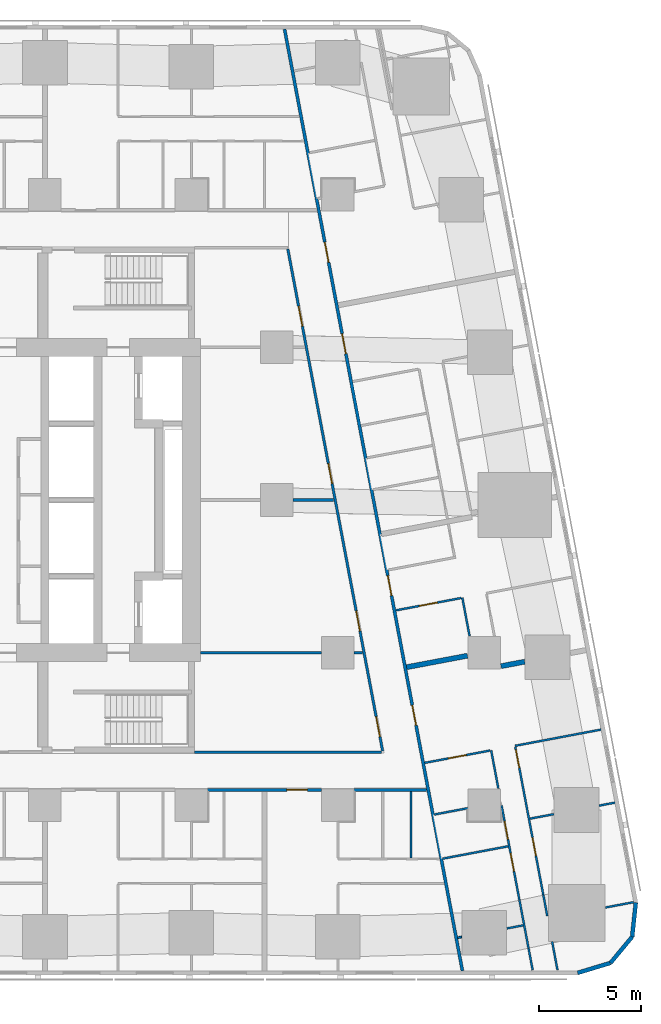
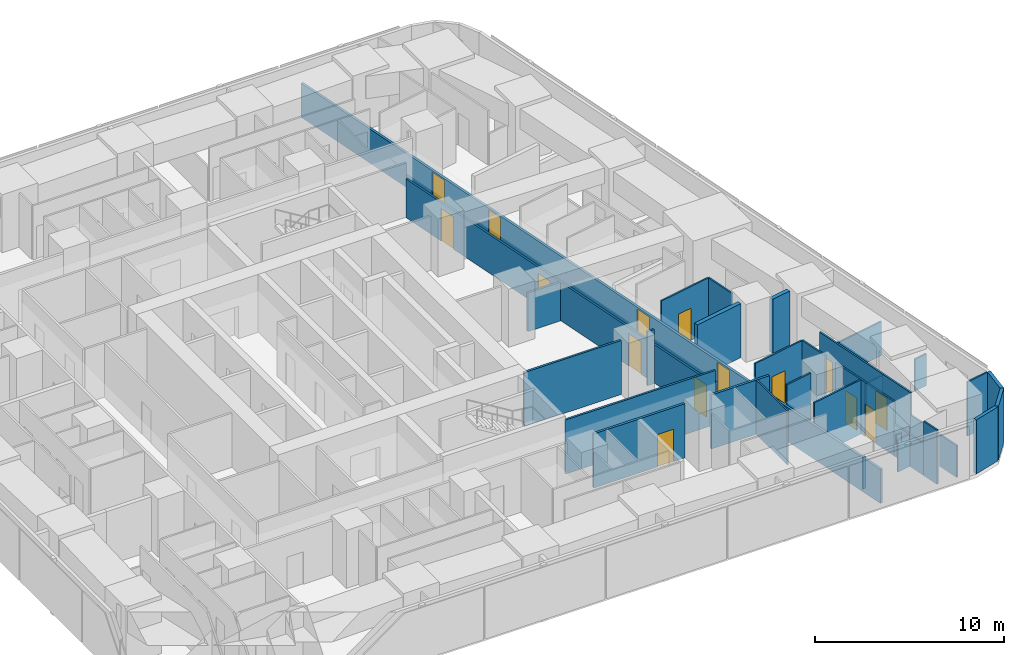
# One storey, part 6 of 15: 32 walls, 15 doors, 15 openings.
"""IFC4 building model written with IfcOpenShell, lengths in metres."""

from ifc_helpers import new_model, si_unit, direction, frame, frame_2d, origin, place, context, subcontext, project, spatial, rectangle, extrude, material, layer, layer_set, type_object, element, fill, save


model = new_model("IFC4")

# Units and contexts
model_context = context("Model", 3, precision=1e-05, world=origin(), true_north=direction((0.0, 1.0)))
body_context = subcontext(model_context, "Body", "Model", "MODEL_VIEW")
ifc_project = project(units=[si_unit("LENGTHUNIT", "METRE"), si_unit("AREAUNIT", "SQUARE_METRE"), si_unit("VOLUMEUNIT", "CUBIC_METRE"), si_unit("PLANEANGLEUNIT", "RADIAN"), si_unit("MASSUNIT", "GRAM", prefix="KILO")], contexts=[model_context])

# Site, building, storey
site_placement = place(None, origin())
site = spatial("IfcSite", under=ifc_project, at=site_placement, CompositionType="ELEMENT")
building_placement = place(site_placement, origin())
building = spatial("IfcBuilding", under=site, at=building_placement, Name="Sheger Commons Tower", CompositionType="ELEMENT")
storey_placement = place(building_placement, frame((0.0, 0.0, 107.89990234375)))
storey = spatial("IfcBuildingStorey", under=building, at=storey_placement, Name="L27", CompositionType="ELEMENT", Elevation=107.89990234375)

# Wall
ifc_material_1 = material(Name="Hollow concrete block masonry, skimmed both sides", Category="masonry")
ifc_layer_1 = layer(ifc_material_1, 0.14990234375)
ifc_layer_set_1 = layer_set([ifc_layer_1], Name="CORRIDOR WALL 150")
wall_type_1 = type_object("IfcWallType", Name="CORRIDOR WALL 150", PredefinedType="SOLIDWALL", material=ifc_layer_set_1)
wall_1_placement = place(storey_placement, frame((40.35595703125, 8.25, 0.0), z_axis=(0.0, 0.0, 1.0), x_axis=(-1.0, 0.0, 0.0)))
element("IfcWall", 1, at=wall_1_placement, inside=storey, type_object=wall_type_1, Name="Corridor wall L27", PredefinedType="SOLIDWALL", context=body_context, shape_type="SweptSolid", body=[
    extrude(rectangle(XDim=3.554931640625, YDim=0.14990234375, at=frame_2d((1.77734375, 0.0))), origin(), (0.0, 0.0, 1.0), 3.5),
])

# Wall, opening, door
wall_2_placement = place(storey_placement, frame((35.198974609375, 8.25, 0.0), z_axis=(0.0, 0.0, 1.0), x_axis=(-1.0, 0.0, 0.0)))
wall_2 = element("IfcWall", 2, at=wall_2_placement, inside=storey, type_object=wall_type_1, Name="Corridor wall L27", PredefinedType="SOLIDWALL", context=body_context, shape_type="SweptSolid", body=[
    extrude(rectangle(XDim=5.597900390625, YDim=0.14990234375, at=frame_2d((2.798828125, 0.0))), origin(), (0.0, 0.0, 1.0), 3.5),
])
opening_1_placement = place(wall_2_placement, frame((0.698974609375, 0.0, 0.0)))
opening_1 = element("IfcOpeningElement", 3, at=opening_1_placement, cuts=wall_2, Name="Opening D1", PredefinedType="OPENING", context=body_context, shape_type="SweptSolid", body=[
    extrude(rectangle(XDim=1.0, YDim=2.10009765625, at=frame_2d((0.5, 1.050048828125))), frame((0.0, 0.0849609375, 0.0), z_axis=(0.0, -1.0, 0.0), x_axis=(1.0, 0.0, 0.0)), (0.0, 0.0, 1.0), 0.169921875),
])
ifc_material_2 = material(Name="Steel door set, fire rated", Category="steel")
door_type_1 = type_object("IfcDoorType", Name="FLAT ENTRANCE DOOR 1000x2100", OperationType="NOTDEFINED", PredefinedType="DOOR", material=ifc_material_2)
door_1_placement = place(opening_1_placement, origin())
door_1 = element("IfcDoor", 4, at=door_1_placement, inside=storey, type_object=door_type_1, Name="Flat entrance door", OperationType="SINGLE_SWING_LEFT", OverallHeight=2.10009765625, OverallWidth=1.0, PredefinedType="DOOR", context=body_context, shape_type="SweptSolid", body=[
    extrude(rectangle(XDim=1.0, YDim=2.10009765625, at=frame_2d((0.5, 1.050048828125))), frame((0.0, 0.02490234375, 0.0), z_axis=(0.0, -1.0, 0.0), x_axis=(1.0, 0.0, 0.0)), (0.0, 0.0, 1.0), 0.050048828125),
])
fill(opening_1, door_1)

# Wall, openings, doors
wall_3_placement = place(storey_placement, frame((33.382080078125, 45.64990234375, 0.0), z_axis=(0.0, 0.0, 1.0), x_axis=(0.185593544777, -0.982626600565, 0.0)))
wall_3 = element("IfcWall", 5, at=wall_3_placement, inside=storey, type_object=wall_type_1, Name="Corridor wall L27", PredefinedType="SOLIDWALL", context=body_context, shape_type="SweptSolid", body=[
    extrude(rectangle(XDim=47.118408203125, YDim=0.14990234375, at=frame_2d((23.55908203125, 0.0))), origin(), (0.0, 0.0, 1.0), 2.2001953125),
])
opening_2_placement = place(wall_3_placement, frame((10.662109375, 0.0, 0.0)))
opening_2 = element("IfcOpeningElement", 6, at=opening_2_placement, cuts=wall_3, Name="Opening D1", PredefinedType="OPENING", context=body_context, shape_type="SweptSolid", body=[
    extrude(rectangle(XDim=1.0, YDim=2.10009765625, at=frame_2d((0.5, 1.050048828125))), frame((0.0, 0.0849609375, 0.0), z_axis=(0.0, -1.0, 0.0), x_axis=(1.0, 0.0, 0.0)), (0.0, 0.0, 1.0), 0.169921875),
])
opening_3_placement = place(wall_3_placement, frame((15.237060546875, 0.0, 0.0)))
opening_3 = element("IfcOpeningElement", 7, at=opening_3_placement, cuts=wall_3, Name="Opening D1", PredefinedType="OPENING", context=body_context, shape_type="SweptSolid", body=[
    extrude(rectangle(XDim=1.0, YDim=2.10009765625, at=frame_2d((0.5, 1.050048828125))), frame((0.0, 0.0849609375, 0.0), z_axis=(0.0, -1.0, 0.0), x_axis=(1.0, 0.0, 0.0)), (0.0, 0.0, 1.0), 0.169921875),
])
opening_4_placement = place(wall_3_placement, frame((27.341064453125, 0.0, 0.0)))
opening_4 = element("IfcOpeningElement", 8, at=opening_4_placement, cuts=wall_3, Name="Opening D1", PredefinedType="OPENING", context=body_context, shape_type="SweptSolid", body=[
    extrude(rectangle(XDim=1.0, YDim=2.10009765625, at=frame_2d((0.5, 1.050048828125))), frame((0.0, 0.0849609375, 0.0), z_axis=(0.0, -1.0, 0.0), x_axis=(1.0, 0.0, 0.0)), (0.0, 0.0, 1.0), 0.169921875),
])
opening_5_placement = place(wall_3_placement, frame((33.8330078125, 0.0, 0.0)))
opening_5 = element("IfcOpeningElement", 9, at=opening_5_placement, cuts=wall_3, Name="Opening D1", PredefinedType="OPENING", context=body_context, shape_type="SweptSolid", body=[
    extrude(rectangle(XDim=1.0, YDim=2.10009765625, at=frame_2d((0.5, 1.050048828125))), frame((0.0, 0.0849609375, 0.0), z_axis=(0.0, -1.0, 0.0), x_axis=(1.0, 0.0, 0.0)), (0.0, 0.0, 1.0), 0.169921875),
])
door_2_placement = place(opening_2_placement, origin())
door_2 = element("IfcDoor", 10, at=door_2_placement, inside=storey, type_object=door_type_1, Name="Flat entrance door", OperationType="SINGLE_SWING_RIGHT", OverallHeight=2.10009765625, OverallWidth=1.0, PredefinedType="DOOR", context=body_context, shape_type="SweptSolid", body=[
    extrude(rectangle(XDim=1.0, YDim=2.10009765625, at=frame_2d((0.5, 1.050048828125))), frame((0.0, 0.02490234375, 0.0), z_axis=(0.0, -1.0, 0.0), x_axis=(1.0, 0.0, 0.0)), (0.0, 0.0, 1.0), 0.050048828125),
])
fill(opening_2, door_2)
door_3_placement = place(opening_3_placement, origin())
door_3 = element("IfcDoor", 11, at=door_3_placement, inside=storey, type_object=door_type_1, Name="Flat entrance door", OperationType="SINGLE_SWING_RIGHT", OverallHeight=2.10009765625, OverallWidth=1.0, PredefinedType="DOOR", context=body_context, shape_type="SweptSolid", body=[
    extrude(rectangle(XDim=1.0, YDim=2.10009765625, at=frame_2d((0.5, 1.050048828125))), frame((0.0, 0.02490234375, 0.0), z_axis=(0.0, -1.0, 0.0), x_axis=(1.0, 0.0, 0.0)), (0.0, 0.0, 1.0), 0.050048828125),
])
fill(opening_3, door_3)
door_4_placement = place(opening_4_placement, origin())
door_4 = element("IfcDoor", 12, at=door_4_placement, inside=storey, type_object=door_type_1, Name="Flat entrance door", OperationType="SINGLE_SWING_LEFT", OverallHeight=2.10009765625, OverallWidth=1.0, PredefinedType="DOOR", context=body_context, shape_type="SweptSolid", body=[
    extrude(rectangle(XDim=1.0, YDim=2.10009765625, at=frame_2d((0.5, 1.050048828125))), frame((0.0, 0.02490234375, 0.0), z_axis=(0.0, -1.0, 0.0), x_axis=(1.0, 0.0, 0.0)), (0.0, 0.0, 1.0), 0.050048828125),
])
fill(opening_4, door_4)
door_5_placement = place(opening_5_placement, origin())
door_5 = element("IfcDoor", 13, at=door_5_placement, inside=storey, type_object=door_type_1, Name="Flat entrance door", OperationType="SINGLE_SWING_LEFT", OverallHeight=2.10009765625, OverallWidth=1.0, PredefinedType="DOOR", context=body_context, shape_type="SweptSolid", body=[
    extrude(rectangle(XDim=1.0, YDim=2.10009765625, at=frame_2d((0.5, 1.050048828125))), frame((0.0, 0.02490234375, 0.0), z_axis=(0.0, -1.0, 0.0), x_axis=(1.0, 0.0, 0.0)), (0.0, 0.0, 1.0), 0.050048828125),
])
fill(opening_5, door_5)

# Walls
ifc_material_3 = material(Name="Dense concrete block masonry, plastered both sides (separating wall between flats)", Category="masonry")
ifc_layer_2 = layer(ifc_material_3, 0.25)
ifc_layer_set_2 = layer_set([ifc_layer_2], Name="DEMISING WALL 250")
wall_type_2 = type_object("IfcWallType", Name="DEMISING WALL 250", PredefinedType="SOLIDWALL", material=ifc_layer_set_2)
wall_4_placement = place(storey_placement, frame((45.18994140625, 14.550048828125, 0.0), z_axis=(0.0, 0.0, 1.0), x_axis=(-0.982666604435, -0.185381618634, 0.0)))
element("IfcWall", 14, at=wall_4_placement, inside=storey, type_object=wall_type_2, Name="Demising wall L27", PredefinedType="SOLIDWALL", context=body_context, shape_type="SweptSolid", body=[
    extrude(rectangle(XDim=1.1865234375, YDim=0.25, at=frame_2d((0.59326171875, 0.0))), origin(), (0.0, 0.0, 1.0), 3.5),
])
wall_5_placement = place(storey_placement, frame((42.3759765625, 14.843994140625, 0.0), z_axis=(0.0, 0.0, 1.0), x_axis=(-0.982636286056, -0.185542257522, 0.0)))
element("IfcWall", 15, at=wall_5_placement, inside=storey, type_object=wall_type_2, Name="Demising wall L27", PredefinedType="SOLIDWALL", context=body_context, shape_type="SweptSolid", body=[
    extrude(rectangle(XDim=3.044921875, YDim=0.25, at=frame_2d((1.5224609375, 0.0))), origin(), (0.0, 0.0, 1.0), 3.5),
])
ifc_material_4 = material(Name="Rendered concrete block masonry, dark grey", Category="masonry")
ifc_layer_3 = layer(ifc_material_4, 0.199951171875)
ifc_layer_set_3 = layer_set([ifc_layer_3], Name="FACADE WALL 200")
wall_type_3 = type_object("IfcWallType", Name="FACADE WALL 200", PredefinedType="SOLIDWALL", material=ifc_layer_set_3)
wall_6_placement = place(storey_placement, frame((47.791015625, -0.75, 0.0), z_axis=(0.0, 0.0, 1.0), x_axis=(0.957455232626, 0.288581838509, 0.0)))
element("IfcWall", 16, at=wall_6_placement, inside=storey, type_object=wall_type_3, Name="Facade wall L27", PredefinedType="SOLIDWALL", context=body_context, shape_type="SweptSolid", body=[
    extrude(rectangle(XDim=1.687744140625, YDim=0.199951171875, at=frame_2d((0.84375, 0.0))), origin(), (0.0, 0.0, 1.0), 3.5),
])
wall_7_placement = place(storey_placement, frame((49.406982421875, -0.262939453125, 0.0), z_axis=(0.0, 0.0, 1.0), x_axis=(0.638042593423, 0.770001070764, 0.0)))
element("IfcWall", 17, at=wall_7_placement, inside=storey, type_object=wall_type_3, Name="Facade wall L27", PredefinedType="SOLIDWALL", context=body_context, shape_type="SweptSolid", body=[
    extrude(rectangle(XDim=1.672607421875, YDim=0.199951171875, at=frame_2d((0.83642578125, 0.0))), origin(), (0.0, 0.0, 1.0), 3.5),
])
wall_8_placement = place(storey_placement, frame((50.47412109375, 1.02490234375, 0.0), z_axis=(0.0, 0.0, 1.0), x_axis=(0.106047815515, 0.994361031429, 0.0)))
element("IfcWall", 18, at=wall_8_placement, inside=storey, type_object=wall_type_3, Name="Facade wall L27", PredefinedType="SOLIDWALL", context=body_context, shape_type="SweptSolid", body=[
    extrude(rectangle(XDim=1.6875, YDim=0.199951171875, at=frame_2d((0.84375, 0.0))), origin(), (0.0, 0.0, 1.0), 3.5),
])
ifc_material_5 = material(Name="Gypsum board on steel studs", Category="steel")
ifc_layer_4 = layer(ifc_material_5, 0.10009765625)
ifc_layer_set_4 = layer_set([ifc_layer_4], Name="PARTITION 100")
wall_type_4 = type_object("IfcWallType", Name="PARTITION 100", PredefinedType="PARTITIONING", material=ifc_layer_set_4)
wall_9_placement = place(storey_placement, frame((39.60009765625, 4.89990234375, 0.0), z_axis=(0.0, 0.0, 1.0), x_axis=(0.0, 1.0, 0.0)))
element("IfcWall", 19, at=wall_9_placement, inside=storey, type_object=wall_type_4, Name="Partition L27", PredefinedType="PARTITIONING", context=body_context, shape_type="SweptSolid", body=[
    extrude(rectangle(XDim=3.275146484375, YDim=0.10009765625, at=frame_2d((1.6376953125, 0.0))), origin(), (0.0, 0.0, 1.0), 3.5),
])
wall_10_placement = place(storey_placement, frame((42.123046875, 17.69091796875, 0.0), z_axis=(0.0, 0.0, 1.0), x_axis=(0.185458984533, -0.982652006081, 0.0)))
element("IfcWall", 20, at=wall_10_placement, inside=storey, type_object=wall_type_4, Name="Partition L27", PredefinedType="PARTITIONING", context=body_context, shape_type="SweptSolid", body=[
    extrude(rectangle(XDim=1.9140625, YDim=0.10009765625, at=frame_2d((0.95703125, 0.0))), origin(), (0.0, 0.0, 1.0), 3.5),
])

# Wall, opening, door
wall_11_placement = place(storey_placement, frame((42.073974609375, 17.681884765625, 0.0), z_axis=(0.0, 0.0, 1.0), x_axis=(-0.982620626894, -0.185625169636, 0.0)))
wall_11 = element("IfcWall", 21, at=wall_11_placement, inside=storey, type_object=wall_type_4, Name="Partition L27", PredefinedType="PARTITIONING", context=body_context, shape_type="SweptSolid", body=[
    extrude(rectangle(XDim=3.27490234375, YDim=0.10009765625, at=frame_2d((1.637451171875, 0.0))), origin(), (0.0, 0.0, 1.0), 3.5),
])
opening_6_placement = place(wall_11_placement, frame((1.200927734375, 0.0, 0.0)))
opening_6 = element("IfcOpeningElement", 22, at=opening_6_placement, cuts=wall_11, Name="Opening D2", PredefinedType="OPENING", context=body_context, shape_type="SweptSolid", body=[
    extrude(rectangle(XDim=0.89990234375, YDim=2.10009765625, at=frame_2d((0.449951171875, 1.050048828125))), frame((0.0, 0.06005859375, 0.0), z_axis=(0.0, -1.0, 0.0), x_axis=(1.0, 0.0, 0.0)), (0.0, 0.0, 1.0), 0.1201171875),
])
ifc_material_6 = material(Name="Timber door set", Category="wood")
door_type_2 = type_object("IfcDoorType", Name="INTERNAL DOOR 900x2100", OperationType="NOTDEFINED", PredefinedType="DOOR", material=ifc_material_6)
door_6_placement = place(opening_6_placement, origin())
door_6 = element("IfcDoor", 23, at=door_6_placement, inside=storey, type_object=door_type_2, Name="Store door", OperationType="SINGLE_SWING_LEFT", OverallHeight=2.10009765625, OverallWidth=0.89990234375, PredefinedType="DOOR", context=body_context, shape_type="SweptSolid", body=[
    extrude(rectangle(XDim=0.89990234375, YDim=2.10009765625, at=frame_2d((0.449951171875, 1.050048828125))), frame((0.0, 0.02490234375, 0.0), z_axis=(0.0, -1.0, 0.0), x_axis=(1.0, 0.0, 0.0)), (0.0, 0.0, 1.0), 0.050048828125),
])
fill(opening_6, door_6)

# Wall, openings, doors
wall_12_placement = place(storey_placement, frame((44.72705078125, 10.365966796875, 0.0), z_axis=(0.0, 0.0, 1.0), x_axis=(0.185678775129, -0.982610498858, 0.0)))
wall_12 = element("IfcWall", 24, at=wall_12_placement, inside=storey, type_object=wall_type_4, Name="Partition L27", PredefinedType="PARTITIONING", context=body_context, shape_type="SweptSolid", body=[
    extrude(rectangle(XDim=7.421142578125, YDim=0.10009765625, at=frame_2d((3.71044921875, 0.0))), origin(), (0.0, 0.0, 1.0), 3.5),
])
opening_7_placement = place(wall_12_placement, frame((0.15087890625, 0.0, 0.0)))
opening_7 = element("IfcOpeningElement", 25, at=opening_7_placement, cuts=wall_12, Name="Opening D2", PredefinedType="OPENING", context=body_context, shape_type="SweptSolid", body=[
    extrude(rectangle(XDim=0.89990234375, YDim=2.10009765625, at=frame_2d((0.449951171875, 1.050048828125))), frame((0.0, 0.06005859375, 0.0), z_axis=(0.0, -1.0, 0.0), x_axis=(1.0, 0.0, 0.0)), (0.0, 0.0, 1.0), 0.1201171875),
])
opening_8_placement = place(wall_12_placement, frame((4.550048828125, 0.0, 0.0)))
opening_8 = element("IfcOpeningElement", 26, at=opening_8_placement, cuts=wall_12, Name="Opening D2", PredefinedType="OPENING", context=body_context, shape_type="SweptSolid", body=[
    extrude(rectangle(XDim=0.89990234375, YDim=2.10009765625, at=frame_2d((0.449951171875, 1.050048828125))), frame((0.0, 0.06005859375, 0.0), z_axis=(0.0, -1.0, 0.0), x_axis=(1.0, 0.0, 0.0)), (0.0, 0.0, 1.0), 0.1201171875),
])
door_7_placement = place(opening_7_placement, origin())
door_7 = element("IfcDoor", 27, at=door_7_placement, inside=storey, type_object=door_type_2, Name="Main bedroom door", OperationType="SINGLE_SWING_LEFT", OverallHeight=2.10009765625, OverallWidth=0.89990234375, PredefinedType="DOOR", context=body_context, shape_type="SweptSolid", body=[
    extrude(rectangle(XDim=0.89990234375, YDim=2.10009765625, at=frame_2d((0.449951171875, 1.050048828125))), frame((0.0, 0.02490234375, 0.0), z_axis=(0.0, -1.0, 0.0), x_axis=(1.0, 0.0, 0.0)), (0.0, 0.0, 1.0), 0.050048828125),
])
fill(opening_7, door_7)
door_8_placement = place(opening_8_placement, origin())
door_8 = element("IfcDoor", 28, at=door_8_placement, inside=storey, type_object=door_type_2, Name="Bedroom 2 door", OperationType="SINGLE_SWING_LEFT", OverallHeight=2.10009765625, OverallWidth=0.89990234375, PredefinedType="DOOR", context=body_context, shape_type="SweptSolid", body=[
    extrude(rectangle(XDim=0.89990234375, YDim=2.10009765625, at=frame_2d((0.449951171875, 1.050048828125))), frame((0.0, 0.02490234375, 0.0), z_axis=(0.0, -1.0, 0.0), x_axis=(1.0, 0.0, 0.0)), (0.0, 0.0, 1.0), 0.050048828125),
])
fill(opening_8, door_8)

# Walls
wall_13_placement = place(storey_placement, frame((46.10498046875, 3.073974609375, 0.0), z_axis=(0.0, 0.0, 1.0), x_axis=(0.185897769544, -0.982569091351, 0.0)))
element("IfcWall", 29, at=wall_13_placement, inside=storey, type_object=wall_type_4, Name="Partition L27", PredefinedType="PARTITIONING", context=body_context, shape_type="SweptSolid", body=[
    extrude(rectangle(XDim=1.044189453125, YDim=0.10009765625, at=frame_2d((0.52197265625, 0.0))), origin(), (0.0, 0.0, 1.0), 2.050048828125),
])
wall_14_placement = place(storey_placement, frame((46.537109375, 0.787109375, 0.0), z_axis=(0.0, 0.0, 1.0), x_axis=(0.185348284603, -0.982672892368, 0.0)))
element("IfcWall", 30, at=wall_14_placement, inside=storey, type_object=wall_type_4, Name="Partition L27", PredefinedType="PARTITIONING", context=body_context, shape_type="SweptSolid", body=[
    extrude(rectangle(XDim=1.418701171875, YDim=0.10009765625, at=frame_2d((0.70947265625, 0.0))), origin(), (0.0, 0.0, 1.0), 2.050048828125),
])
wall_15_placement = place(storey_placement, frame((43.5390625, 10.19189453125, 0.0), z_axis=(0.0, 0.0, 1.0), x_axis=(0.185366049966, -0.982669541362, 0.0)))
element("IfcWall", 31, at=wall_15_placement, inside=storey, type_object=wall_type_4, Name="Partition L27", PredefinedType="PARTITIONING", context=body_context, shape_type="SweptSolid", body=[
    extrude(rectangle(XDim=1.9150390625, YDim=0.10009765625, at=frame_2d((0.95751953125, 0.0))), origin(), (0.0, 0.0, 1.0), 3.5),
])

# Wall, openings, doors
wall_16_placement = place(storey_placement, frame((44.049072265625, 7.489990234375, 0.0), z_axis=(0.0, 0.0, 1.0), x_axis=(0.185666332607, -0.982612849975, 0.0)))
wall_16 = element("IfcWall", 32, at=wall_16_placement, inside=storey, type_object=wall_type_4, Name="Partition L27", PredefinedType="PARTITIONING", context=body_context, shape_type="SweptSolid", body=[
    extrude(rectangle(XDim=4.74951171875, YDim=0.10009765625, at=frame_2d((2.374755859375, 0.0))), origin(), (0.0, 0.0, 1.0), 3.5),
])
opening_9_placement = place(wall_16_placement, frame((0.800048828125, 0.0, 0.0)))
opening_9 = element("IfcOpeningElement", 33, at=opening_9_placement, cuts=wall_16, Name="Opening D2", PredefinedType="OPENING", context=body_context, shape_type="SweptSolid", body=[
    extrude(rectangle(XDim=0.89990234375, YDim=2.10009765625, at=frame_2d((0.449951171875, 1.050048828125))), frame((0.0, 0.06005859375, 0.0), z_axis=(0.0, -1.0, 0.0), x_axis=(1.0, 0.0, 0.0)), (0.0, 0.0, 1.0), 0.1201171875),
])
opening_10_placement = place(wall_16_placement, frame((2.39599609375, 0.0, 0.0)))
opening_10 = element("IfcOpeningElement", 34, at=opening_10_placement, cuts=wall_16, Name="Opening D2", PredefinedType="OPENING", context=body_context, shape_type="SweptSolid", body=[
    extrude(rectangle(XDim=0.89990234375, YDim=2.10009765625, at=frame_2d((0.449951171875, 1.050048828125))), frame((0.0, 0.06005859375, 0.0), z_axis=(0.0, -1.0, 0.0), x_axis=(1.0, 0.0, 0.0)), (0.0, 0.0, 1.0), 0.1201171875),
])
door_9_placement = place(opening_9_placement, origin())
door_9 = element("IfcDoor", 35, at=door_9_placement, inside=storey, type_object=door_type_2, Name="Bathroom door", OperationType="SINGLE_SWING_LEFT", OverallHeight=2.10009765625, OverallWidth=0.89990234375, PredefinedType="DOOR", context=body_context, shape_type="SweptSolid", body=[
    extrude(rectangle(XDim=0.89990234375, YDim=2.10009765625, at=frame_2d((0.449951171875, 1.050048828125))), frame((0.0, 0.02490234375, 0.0), z_axis=(0.0, -1.0, 0.0), x_axis=(1.0, 0.0, 0.0)), (0.0, 0.0, 1.0), 0.050048828125),
])
fill(opening_9, door_9)
door_10_placement = place(opening_10_placement, origin())
door_10 = element("IfcDoor", 36, at=door_10_placement, inside=storey, type_object=door_type_2, Name="Store door", OperationType="SINGLE_SWING_RIGHT", OverallHeight=2.10009765625, OverallWidth=0.89990234375, PredefinedType="DOOR", context=body_context, shape_type="SweptSolid", body=[
    extrude(rectangle(XDim=0.89990234375, YDim=2.10009765625, at=frame_2d((0.449951171875, 1.050048828125))), frame((0.0, 0.02490234375, 0.0), z_axis=(0.0, -1.0, 0.0), x_axis=(1.0, 0.0, 0.0)), (0.0, 0.0, 1.0), 0.050048828125),
])
fill(opening_10, door_10)

# Walls
wall_17_placement = place(storey_placement, frame((44.930908203125, 2.822998046875, 0.0), z_axis=(0.0, 0.0, 1.0), x_axis=(0.185631845838, -0.982619365681, 0.0)))
element("IfcWall", 37, at=wall_17_placement, inside=storey, type_object=wall_type_4, Name="Partition L27", PredefinedType="PARTITIONING", context=body_context, shape_type="SweptSolid", body=[
    extrude(rectangle(XDim=2.40283203125, YDim=0.10009765625, at=frame_2d((1.201416015625, 0.0))), origin(), (0.0, 0.0, 1.0), 2.050048828125),
])
wall_18_placement = place(storey_placement, frame((45.376953125, 0.4619140625, 0.0), z_axis=(0.0, 0.0, 1.0), x_axis=(0.185513480919, -0.982641719243, 0.0)))
element("IfcWall", 38, at=wall_18_placement, inside=storey, type_object=wall_type_4, Name="Partition L27", PredefinedType="PARTITIONING", context=body_context, shape_type="SweptSolid", body=[
    extrude(rectangle(XDim=1.094970703125, YDim=0.10009765625, at=frame_2d((0.54736328125, 0.0))), origin(), (0.0, 0.0, 1.0), 3.5),
])
wall_19_placement = place(storey_placement, frame((48.943115234375, 11.212890625, 0.0), z_axis=(0.0, 0.0, 1.0), x_axis=(-0.982633535512, -0.185556823879, 0.0)))
element("IfcWall", 39, at=wall_19_placement, inside=storey, type_object=wall_type_4, Name="Partition L27", PredefinedType="PARTITIONING", context=body_context, shape_type="SweptSolid", body=[
    extrude(rectangle(XDim=4.2998046875, YDim=0.10009765625, at=frame_2d((2.14990234375, 0.0))), origin(), (0.0, 0.0, 1.0), 2.2001953125),
])
wall_20_placement = place(storey_placement, frame((49.6220703125, 7.6201171875, 0.0), z_axis=(0.0, 0.0, 1.0), x_axis=(-0.982512656401, -0.186195810938, 0.0)))
element("IfcWall", 40, at=wall_20_placement, inside=storey, type_object=wall_type_4, Name="Partition L27", PredefinedType="PARTITIONING", context=body_context, shape_type="SweptSolid", body=[
    extrude(rectangle(XDim=0.7958984375, YDim=0.10009765625, at=frame_2d((0.39794921875, 0.0))), origin(), (0.0, 0.0, 1.0), 2.050048828125),
])
wall_21_placement = place(storey_placement, frame((46.6201171875, 7.052978515625, 0.0), z_axis=(0.0, 0.0, 1.0), x_axis=(-0.982749355621, -0.18494243436, 0.0)))
element("IfcWall", 41, at=wall_21_placement, inside=storey, type_object=wall_type_4, Name="Partition L27", PredefinedType="PARTITIONING", context=body_context, shape_type="SweptSolid", body=[
    extrude(rectangle(XDim=1.194580078125, YDim=0.10009765625, at=frame_2d((0.59716796875, 0.0))), origin(), (0.0, 0.0, 1.0), 2.050048828125),
])
wall_22_placement = place(storey_placement, frame((50.547119140625, 2.72607421875, 0.0), z_axis=(0.0, 0.0, 1.0), x_axis=(-0.982680053146, -0.185310315822, 0.0)))
element("IfcWall", 42, at=wall_22_placement, inside=storey, type_object=wall_type_4, Name="Partition L27", PredefinedType="PARTITIONING", context=body_context, shape_type="SweptSolid", body=[
    extrude(rectangle(XDim=1.41357421875, YDim=0.10009765625, at=frame_2d((0.706787109375, 0.0))), origin(), (0.0, 0.0, 1.0), 3.5),
])

# Wall, opening, door
wall_23_placement = place(storey_placement, frame((43.489990234375, 10.18310546875, 0.0), z_axis=(0.0, 0.0, 1.0), x_axis=(-0.982607026909, -0.185697147715, 0.0)))
wall_23 = element("IfcWall", 43, at=wall_23_placement, inside=storey, type_object=wall_type_4, Name="Partition L27", PredefinedType="PARTITIONING", context=body_context, shape_type="SweptSolid", body=[
    extrude(rectangle(XDim=3.27490234375, YDim=0.10009765625, at=frame_2d((1.637451171875, 0.0))), origin(), (0.0, 0.0, 1.0), 3.5),
])
opening_11_placement = place(wall_23_placement, frame((1.199951171875, 0.0, 0.0)))
opening_11 = element("IfcOpeningElement", 44, at=opening_11_placement, cuts=wall_23, Name="Opening D2", PredefinedType="OPENING", context=body_context, shape_type="SweptSolid", body=[
    extrude(rectangle(XDim=0.89990234375, YDim=2.10009765625, at=frame_2d((0.449951171875, 1.050048828125))), frame((0.0, 0.06005859375, 0.0), z_axis=(0.0, -1.0, 0.0), x_axis=(1.0, 0.0, 0.0)), (0.0, 0.0, 1.0), 0.1201171875),
])
door_11_placement = place(opening_11_placement, origin())
door_11 = element("IfcDoor", 45, at=door_11_placement, inside=storey, type_object=door_type_2, Name="Store door", OperationType="SINGLE_SWING_LEFT", OverallHeight=2.10009765625, OverallWidth=0.89990234375, PredefinedType="DOOR", context=body_context, shape_type="SweptSolid", body=[
    extrude(rectangle(XDim=0.89990234375, YDim=2.10009765625, at=frame_2d((0.449951171875, 1.050048828125))), frame((0.0, 0.02490234375, 0.0), z_axis=(0.0, -1.0, 0.0), x_axis=(1.0, 0.0, 0.0)), (0.0, 0.0, 1.0), 0.050048828125),
])
fill(opening_11, door_11)

# Walls
wall_24_placement = place(storey_placement, frame((42.389892578125, 7.347900390625, 0.0), z_axis=(0.0, 0.0, 1.0), x_axis=(-0.9825976927, -0.185746532405, 0.0)))
element("IfcWall", 46, at=wall_24_placement, inside=storey, type_object=wall_type_4, Name="Partition L27", PredefinedType="PARTITIONING", context=body_context, shape_type="SweptSolid", body=[
    extrude(rectangle(XDim=1.66796875, YDim=0.10009765625, at=frame_2d((0.833984375, 0.0))), origin(), (0.0, 0.0, 1.0), 3.5),
])
wall_25_placement = place(storey_placement, frame((45.114013671875, 1.5869140625, 0.0), z_axis=(0.0, 0.0, 1.0), x_axis=(-0.982624706348, -0.185603573443, 0.0)))
element("IfcWall", 47, at=wall_25_placement, inside=storey, type_object=wall_type_4, Name="Partition L27", PredefinedType="PARTITIONING", context=body_context, shape_type="SweptSolid", body=[
    extrude(rectangle(XDim=0.818115234375, YDim=0.10009765625, at=frame_2d((0.4091796875, 0.0))), origin(), (0.0, 0.0, 1.0), 2.050048828125),
])
wall_26_placement = place(storey_placement, frame((42.090087890625, 1.01611328125, 0.0), z_axis=(0.0, 0.0, 1.0), x_axis=(-0.982208563973, -0.187793335502, 0.0)))
element("IfcWall", 48, at=wall_26_placement, inside=storey, type_object=wall_type_4, Name="Partition L27", PredefinedType="PARTITIONING", context=body_context, shape_type="SweptSolid", body=[
    extrude(rectangle(XDim=0.197509765625, YDim=0.10009765625, at=frame_2d((0.0986328125, 0.0))), origin(), (0.0, 0.0, 1.0), 2.050048828125),
])
wall_27_placement = place(storey_placement, frame((44.37890625, 5.47412109375, 0.0), z_axis=(0.0, 0.0, 1.0), x_axis=(-0.982607026909, -0.185697147715, 0.0)))
element("IfcWall", 49, at=wall_27_placement, inside=storey, type_object=wall_type_4, Name="Partition L27", PredefinedType="PARTITIONING", context=body_context, shape_type="SweptSolid", body=[
    extrude(rectangle(XDim=3.27490234375, YDim=0.10009765625, at=frame_2d((1.637451171875, 0.0))), origin(), (0.0, 0.0, 1.0), 3.5),
])
ifc_material_7 = material(Name="Gypsum board on steel studs, two layers each side, fire rated", Category="steel")
ifc_layer_5 = layer(ifc_material_7, 0.125)
ifc_layer_set_5 = layer_set([ifc_layer_5], Name="SERVICE WALL 125")
wall_type_5 = type_object("IfcWallType", Name="SERVICE WALL 125", PredefinedType="PARTITIONING", material=ifc_layer_set_5)
wall_28_placement = place(storey_placement, frame((28.949951171875, 10.10009765625, 0.0), z_axis=(0.0, 0.0, 1.0), x_axis=(1.0, 0.0, 0.0)))
element("IfcWall", 50, at=wall_28_placement, inside=storey, type_object=wall_type_5, Name="Service room wall L27", PredefinedType="PARTITIONING", context=body_context, shape_type="SweptSolid", body=[
    extrude(rectangle(XDim=9.18798828125, YDim=0.125, at=frame_2d((4.593994140625, 0.0))), origin(), (0.0, 0.0, 1.0), 3.5),
])

# Wall, openings, doors
wall_29_placement = place(storey_placement, frame((38.201904296875, 10.1630859375, 0.0), z_axis=(0.0, 0.0, 1.0), x_axis=(-0.185610321132, 0.982623431783, 0.0)))
wall_29 = element("IfcWall", 51, at=wall_29_placement, inside=storey, type_object=wall_type_5, Name="Service room wall L27", PredefinedType="PARTITIONING", context=body_context, shape_type="SweptSolid", body=[
    extrude(rectangle(XDim=25.111083984375, YDim=0.125, at=frame_2d((12.5556640625, 0.0))), origin(), (0.0, 0.0, 1.0), 2.5),
])
opening_12_placement = place(wall_29_placement, frame((0.7080078125, 0.0, 0.0)))
opening_12 = element("IfcOpeningElement", 52, at=opening_12_placement, cuts=wall_29, Name="Opening D4", PredefinedType="OPENING", context=body_context, shape_type="SweptSolid", body=[
    extrude(rectangle(XDim=1.0, YDim=2.10009765625, at=frame_2d((0.5, 1.050048828125))), frame((0.0, 0.072509765625, 0.0), z_axis=(0.0, -1.0, 0.0), x_axis=(1.0, 0.0, 0.0)), (0.0, 0.0, 1.0), 0.14501953125),
])
opening_13_placement = place(wall_29_placement, frame((6.0, 0.0, 0.0)))
opening_13 = element("IfcOpeningElement", 53, at=opening_13_placement, cuts=wall_29, Name="Opening D4", PredefinedType="OPENING", context=body_context, shape_type="SweptSolid", body=[
    extrude(rectangle(XDim=1.0, YDim=2.10009765625, at=frame_2d((0.5, 1.050048828125))), frame((0.0, 0.072509765625, 0.0), z_axis=(0.0, -1.0, 0.0), x_axis=(1.0, 0.0, 0.0)), (0.0, 0.0, 1.0), 0.14501953125),
])
opening_14_placement = place(wall_29_placement, frame((13.3779296875, 0.0, 0.0)))
opening_14 = element("IfcOpeningElement", 54, at=opening_14_placement, cuts=wall_29, Name="Opening D4", PredefinedType="OPENING", context=body_context, shape_type="SweptSolid", body=[
    extrude(rectangle(XDim=1.0, YDim=2.10009765625, at=frame_2d((0.5, 1.050048828125))), frame((0.0, 0.072509765625, 0.0), z_axis=(0.0, -1.0, 0.0), x_axis=(1.0, 0.0, 0.0)), (0.0, 0.0, 1.0), 0.14501953125),
])
opening_15_placement = place(wall_29_placement, frame((21.25, 0.0, 0.0)))
opening_15 = element("IfcOpeningElement", 55, at=opening_15_placement, cuts=wall_29, Name="Opening D4", PredefinedType="OPENING", context=body_context, shape_type="SweptSolid", body=[
    extrude(rectangle(XDim=1.0, YDim=2.10009765625, at=frame_2d((0.5, 1.050048828125))), frame((0.0, 0.072509765625, 0.0), z_axis=(0.0, -1.0, 0.0), x_axis=(1.0, 0.0, 0.0)), (0.0, 0.0, 1.0), 0.14501953125),
])
ifc_material_8 = material(Name="Steel door set, fire rated", Category="steel")
door_type_3 = type_object("IfcDoorType", Name="SERVICE DOOR 1000x2100", OperationType="NOTDEFINED", PredefinedType="DOOR", material=ifc_material_8)
door_12_placement = place(opening_12_placement, origin())
door_12 = element("IfcDoor", 56, at=door_12_placement, inside=storey, type_object=door_type_3, Name="Residents' study room door", OperationType="SINGLE_SWING_LEFT", OverallHeight=2.10009765625, OverallWidth=1.0, PredefinedType="DOOR", context=body_context, shape_type="SweptSolid", body=[
    extrude(rectangle(XDim=1.0, YDim=2.10009765625, at=frame_2d((0.5, 1.050048828125))), frame((0.0, 0.02490234375, 0.0), z_axis=(0.0, -1.0, 0.0), x_axis=(1.0, 0.0, 0.0)), (0.0, 0.0, 1.0), 0.050048828125),
])
fill(opening_12, door_12)
door_13_placement = place(opening_13_placement, origin())
door_13 = element("IfcDoor", 57, at=door_13_placement, inside=storey, type_object=door_type_3, Name="Bicycle and pram store door", OperationType="SINGLE_SWING_LEFT", OverallHeight=2.10009765625, OverallWidth=1.0, PredefinedType="DOOR", context=body_context, shape_type="SweptSolid", body=[
    extrude(rectangle(XDim=1.0, YDim=2.10009765625, at=frame_2d((0.5, 1.050048828125))), frame((0.0, 0.02490234375, 0.0), z_axis=(0.0, -1.0, 0.0), x_axis=(1.0, 0.0, 0.0)), (0.0, 0.0, 1.0), 0.050048828125),
])
fill(opening_13, door_13)
door_14_placement = place(opening_14_placement, origin())
door_14 = element("IfcDoor", 58, at=door_14_placement, inside=storey, type_object=door_type_3, Name="Residents' store door", OperationType="SINGLE_SWING_LEFT", OverallHeight=2.10009765625, OverallWidth=1.0, PredefinedType="DOOR", context=body_context, shape_type="SweptSolid", body=[
    extrude(rectangle(XDim=1.0, YDim=2.10009765625, at=frame_2d((0.5, 1.050048828125))), frame((0.0, 0.02490234375, 0.0), z_axis=(0.0, -1.0, 0.0), x_axis=(1.0, 0.0, 0.0)), (0.0, 0.0, 1.0), 0.050048828125),
])
fill(opening_14, door_14)
door_15_placement = place(opening_15_placement, origin())
door_15 = element("IfcDoor", 59, at=door_15_placement, inside=storey, type_object=door_type_3, Name="Residents' meeting room door", OperationType="SINGLE_SWING_LEFT", OverallHeight=2.10009765625, OverallWidth=1.0, PredefinedType="DOOR", context=body_context, shape_type="SweptSolid", body=[
    extrude(rectangle(XDim=1.0, YDim=2.10009765625, at=frame_2d((0.5, 1.050048828125))), frame((0.0, 0.02490234375, 0.0), z_axis=(0.0, -1.0, 0.0), x_axis=(1.0, 0.0, 0.0)), (0.0, 0.0, 1.0), 0.050048828125),
])
fill(opening_15, door_15)

# Walls
wall_30_placement = place(storey_placement, frame((29.25, 15.0, 0.0), z_axis=(0.0, 0.0, 1.0), x_axis=(1.0, 0.0, 0.0)))
element("IfcWall", 60, at=wall_30_placement, inside=storey, type_object=wall_type_5, Name="Service room wall L27", PredefinedType="PARTITIONING", context=body_context, shape_type="SweptSolid", body=[
    extrude(rectangle(XDim=5.948974609375, YDim=0.125, at=frame_2d((2.974609375, 0.0))), origin(), (0.0, 0.0, 1.0), 3.5),
])
wall_31_placement = place(storey_placement, frame((36.801025390625, 15.0, 0.0), z_axis=(0.0, 0.0, 1.0), x_axis=(1.0, 0.0, 0.0)))
element("IfcWall", 61, at=wall_31_placement, inside=storey, type_object=wall_type_5, Name="Service room wall L27", PredefinedType="PARTITIONING", context=body_context, shape_type="SweptSolid", body=[
    extrude(rectangle(XDim=0.411865234375, YDim=0.125, at=frame_2d((0.2060546875, 0.0))), origin(), (0.0, 0.0, 1.0), 3.5),
])
wall_32_placement = place(storey_placement, frame((33.801025390625, 22.5, 0.0), z_axis=(0.0, 0.0, 1.0), x_axis=(1.0, 0.0, 0.0)))
element("IfcWall", 62, at=wall_32_placement, inside=storey, type_object=wall_type_5, Name="Service room wall L27", PredefinedType="PARTITIONING", context=body_context, shape_type="SweptSolid", body=[
    extrude(rectangle(XDim=1.994873046875, YDim=0.125, at=frame_2d((0.99755859375, 0.0))), origin(), (0.0, 0.0, 1.0), 2.5),
])

save(model, "model.ifc")
